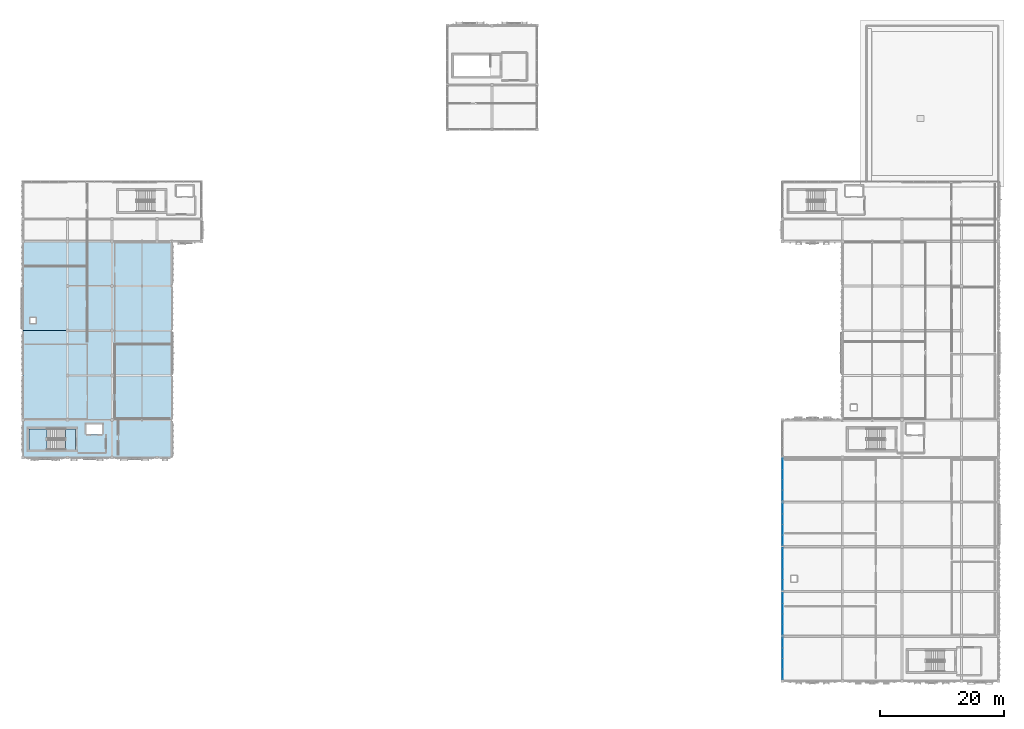
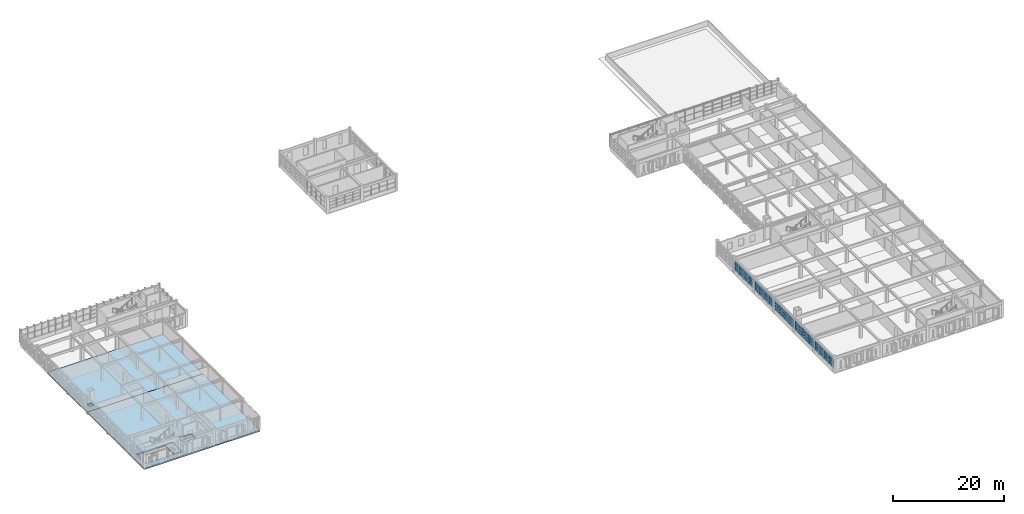
# One storey, part 18 of 53: 48 plates, 4 slabs, 6 elements without a shape of their own.
"""IFC4 building model written with IfcOpenShell, lengths in metres."""

from ifc_helpers import new_model, si_unit, direction, frame, origin, origin_2d, place, context, subcontext, project, spatial, polyline, rectangle, outline, extrude, material, layer, layer_set, type_object, element, aggregate, save


model = new_model("IFC4")

# Units and contexts
model_context = context("Model", 3, precision=1e-05, world=origin(), true_north=direction((0.0, 1.0)))
body_context = subcontext(model_context, "Body", "Model", "MODEL_VIEW")
ifc_project = project(units=[si_unit("LENGTHUNIT", "METRE"), si_unit("AREAUNIT", "SQUARE_METRE"), si_unit("VOLUMEUNIT", "CUBIC_METRE"), si_unit("PLANEANGLEUNIT", "RADIAN"), si_unit("MASSUNIT", "GRAM", prefix="KILO")], contexts=[model_context])

# Site, building, storey
site_placement = place(None, origin())
site = spatial("IfcSite", under=ifc_project, at=site_placement, CompositionType="ELEMENT")
building_placement = place(site_placement, origin())
building = spatial("IfcBuilding", under=site, at=building_placement, Name="Nzembalo Square Collegiate School", CompositionType="ELEMENT")
storey_placement = place(building_placement, frame((0.0, 0.0, 13.60009765625)))
storey = spatial("IfcBuildingStorey", under=building, at=storey_placement, Name="L03", CompositionType="ELEMENT", Elevation=13.60009765625)

# Curtain wall, plates
ifc_material_1 = material(Name="Aluminium 6060-T66", Category="aluminium")
curtain_wall_type_1 = type_object("IfcCurtainWallType", Name="CW-05", PredefinedType="USERDEFINED", material=ifc_material_1)
curtain_wall_1_placement = place(storey_placement, origin())
curtain_wall_1 = element("IfcCurtainWall", 1, at=curtain_wall_1_placement, inside=storey, type_object=curtain_wall_type_1, Name="Curtain wall CW-05 cw:L03:116", ObjectType="LANCET", PredefinedType="USERDEFINED")
ifc_material_2 = material(Name="Laminated solar-control double glazing", Category="glass")
ifc_layer_1 = layer(ifc_material_2, 0.028076171875, Name="Laminated solar-control double glazing")
ifc_layer_set_1 = layer_set([ifc_layer_1], Name="Laminated solar-control double glazing")
plate_type_1 = type_object("IfcPlateType", Name="PN01", PredefinedType="CURTAIN_PANEL", material=ifc_layer_set_1)
plate_1_placement = place(storey_placement, frame((130.800048828125, 16.681396484375, 0.85400390625), z_axis=(0.0, 0.0, 1.0), x_axis=(0.0, 1.0, 0.0)))
plate_1 = element("IfcPlate", 2, at=plate_1_placement, type_object=plate_type_1, Name="PN01 glazed panel 1-1", PredefinedType="CURTAIN_PANEL", context=body_context, shape_type="SweptSolid", body=[
    extrude(rectangle(XDim=1.6708984375, YDim=0.028076171875, at=origin_2d()), origin(), (0.0, 0.0, 1.0), 0.64501953125),
])
plate_2_placement = place(storey_placement, frame((130.800048828125, 18.360595703125, 0.85400390625), z_axis=(0.0, 0.0, 1.0), x_axis=(0.0, 1.0, 0.0)))
plate_2 = element("IfcPlate", 3, at=plate_2_placement, type_object=plate_type_1, Name="PN01 glazed panel 1-2", PredefinedType="CURTAIN_PANEL", context=body_context, shape_type="SweptSolid", body=[
    extrude(rectangle(XDim=1.6708984375, YDim=0.028076171875, at=origin_2d()), origin(), (0.0, 0.0, 1.0), 0.64501953125),
])
plate_3_placement = place(storey_placement, frame((130.800048828125, 20.03955078125, 0.85400390625), z_axis=(0.0, 0.0, 1.0), x_axis=(0.0, 1.0, 0.0)))
plate_3 = element("IfcPlate", 4, at=plate_3_placement, type_object=plate_type_1, Name="PN01 glazed panel 1-3", PredefinedType="CURTAIN_PANEL", context=body_context, shape_type="SweptSolid", body=[
    extrude(rectangle(XDim=1.6708984375, YDim=0.028076171875, at=origin_2d()), origin(), (0.0, 0.0, 1.0), 0.64501953125),
])
plate_4_placement = place(storey_placement, frame((130.800048828125, 21.718505859375, 0.85400390625), z_axis=(0.0, 0.0, 1.0), x_axis=(0.0, 1.0, 0.0)))
plate_4 = element("IfcPlate", 5, at=plate_4_placement, type_object=plate_type_1, Name="PN01 glazed panel 1-4", PredefinedType="CURTAIN_PANEL", context=body_context, shape_type="SweptSolid", body=[
    extrude(rectangle(XDim=1.6708984375, YDim=0.028076171875, at=origin_2d()), origin(), (0.0, 0.0, 1.0), 0.64501953125),
])
plate_5_placement = place(storey_placement, frame((130.800048828125, 16.681396484375, 1.5068359375), z_axis=(0.0, 0.0, 1.0), x_axis=(0.0, 1.0, 0.0)))
plate_5 = element("IfcPlate", 6, at=plate_5_placement, type_object=plate_type_1, Name="PN01 glazed panel 2-1", PredefinedType="CURTAIN_PANEL", context=body_context, shape_type="SweptSolid", body=[
    extrude(rectangle(XDim=1.6708984375, YDim=0.028076171875, at=origin_2d()), origin(), (0.0, 0.0, 1.0), 0.64501953125),
])
plate_6_placement = place(storey_placement, frame((130.800048828125, 18.360595703125, 1.5068359375), z_axis=(0.0, 0.0, 1.0), x_axis=(0.0, 1.0, 0.0)))
plate_6 = element("IfcPlate", 7, at=plate_6_placement, type_object=plate_type_1, Name="PN01 glazed panel 2-2", PredefinedType="CURTAIN_PANEL", context=body_context, shape_type="SweptSolid", body=[
    extrude(rectangle(XDim=1.6708984375, YDim=0.028076171875, at=origin_2d()), origin(), (0.0, 0.0, 1.0), 0.64501953125),
])
plate_7_placement = place(storey_placement, frame((130.800048828125, 20.03955078125, 1.5068359375), z_axis=(0.0, 0.0, 1.0), x_axis=(0.0, 1.0, 0.0)))
plate_7 = element("IfcPlate", 8, at=plate_7_placement, type_object=plate_type_1, Name="PN01 glazed panel 2-3", PredefinedType="CURTAIN_PANEL", context=body_context, shape_type="SweptSolid", body=[
    extrude(rectangle(XDim=1.6708984375, YDim=0.028076171875, at=origin_2d()), origin(), (0.0, 0.0, 1.0), 0.64501953125),
])
plate_8_placement = place(storey_placement, frame((130.800048828125, 21.718505859375, 1.5068359375), z_axis=(0.0, 0.0, 1.0), x_axis=(0.0, 1.0, 0.0)))
plate_8 = element("IfcPlate", 9, at=plate_8_placement, type_object=plate_type_1, Name="PN01 glazed panel 2-4", PredefinedType="CURTAIN_PANEL", context=body_context, shape_type="SweptSolid", body=[
    extrude(rectangle(XDim=1.6708984375, YDim=0.028076171875, at=origin_2d()), origin(), (0.0, 0.0, 1.0), 0.64501953125),
])
plate_9_placement = place(storey_placement, frame((130.800048828125, 16.681396484375, 2.159912109375), z_axis=(0.0, 0.0, 1.0), x_axis=(0.0, 1.0, 0.0)))
plate_9 = element("IfcPlate", 10, at=plate_9_placement, type_object=plate_type_1, Name="PN01 glazed panel 3-1", PredefinedType="CURTAIN_PANEL", context=body_context, shape_type="SweptSolid", body=[
    extrude(rectangle(XDim=1.6708984375, YDim=0.028076171875, at=origin_2d()), origin(), (0.0, 0.0, 1.0), 0.64501953125),
])
plate_10_placement = place(storey_placement, frame((130.800048828125, 18.360595703125, 2.159912109375), z_axis=(0.0, 0.0, 1.0), x_axis=(0.0, 1.0, 0.0)))
plate_10 = element("IfcPlate", 11, at=plate_10_placement, type_object=plate_type_1, Name="PN01 glazed panel 3-2", PredefinedType="CURTAIN_PANEL", context=body_context, shape_type="SweptSolid", body=[
    extrude(rectangle(XDim=1.6708984375, YDim=0.028076171875, at=origin_2d()), origin(), (0.0, 0.0, 1.0), 0.64501953125),
])
plate_11_placement = place(storey_placement, frame((130.800048828125, 20.03955078125, 2.159912109375), z_axis=(0.0, 0.0, 1.0), x_axis=(0.0, 1.0, 0.0)))
plate_11 = element("IfcPlate", 12, at=plate_11_placement, type_object=plate_type_1, Name="PN01 glazed panel 3-3", PredefinedType="CURTAIN_PANEL", context=body_context, shape_type="SweptSolid", body=[
    extrude(rectangle(XDim=1.6708984375, YDim=0.028076171875, at=origin_2d()), origin(), (0.0, 0.0, 1.0), 0.64501953125),
])
plate_12_placement = place(storey_placement, frame((130.800048828125, 21.718505859375, 2.159912109375), z_axis=(0.0, 0.0, 1.0), x_axis=(0.0, 1.0, 0.0)))
plate_12 = element("IfcPlate", 13, at=plate_12_placement, type_object=plate_type_1, Name="PN01 glazed panel 3-4", PredefinedType="CURTAIN_PANEL", context=body_context, shape_type="SweptSolid", body=[
    extrude(rectangle(XDim=1.6708984375, YDim=0.028076171875, at=origin_2d()), origin(), (0.0, 0.0, 1.0), 0.64501953125),
])
aggregate(curtain_wall_1, [plate_1, plate_2, plate_3, plate_4, plate_5, plate_6, plate_7, plate_8, plate_9, plate_10, plate_11, plate_12])

ifc_material_3 = material(Name="Aluminium 6060-T66", Category="aluminium")
curtain_wall_type_2 = type_object("IfcCurtainWallType", Name="CW-04", PredefinedType="USERDEFINED", material=ifc_material_3)
curtain_wall_2_placement = place(storey_placement, origin())
curtain_wall_2 = element("IfcCurtainWall", 14, at=curtain_wall_2_placement, inside=storey, type_object=curtain_wall_type_2, Name="Curtain wall CW-04 cw:L03:115", ObjectType="UNITISED", PredefinedType="USERDEFINED")
ifc_material_4 = material(Name="Acoustic laminated solar-control glazing", Category="glass")
ifc_layer_2 = layer(ifc_material_4, 0.031982421875, Name="Acoustic laminated solar-control glazing")
ifc_layer_set_2 = layer_set([ifc_layer_2], Name="Acoustic laminated solar-control glazing")
plate_type_2 = type_object("IfcPlateType", Name="PN02", PredefinedType="CURTAIN_PANEL", material=ifc_layer_set_2)
plate_13_placement = place(storey_placement, frame((130.800048828125, 9.4814453125, 0.85400390625), z_axis=(0.0, 0.0, 1.0), x_axis=(0.0, 1.0, 0.0)))
plate_13 = element("IfcPlate", 15, at=plate_13_placement, type_object=plate_type_2, Name="PN02 glazed panel 1-1", PredefinedType="CURTAIN_PANEL", context=body_context, shape_type="SweptSolid", body=[
    extrude(rectangle(XDim=1.6708984375, YDim=0.031982421875, at=origin_2d()), origin(), (0.0, 0.0, 1.0), 0.971435546875),
])
plate_14_placement = place(storey_placement, frame((130.800048828125, 11.160400390625, 0.85400390625), z_axis=(0.0, 0.0, 1.0), x_axis=(0.0, 1.0, 0.0)))
plate_14 = element("IfcPlate", 16, at=plate_14_placement, type_object=plate_type_2, Name="PN02 glazed panel 1-2", PredefinedType="CURTAIN_PANEL", context=body_context, shape_type="SweptSolid", body=[
    extrude(rectangle(XDim=1.6708984375, YDim=0.031982421875, at=origin_2d()), origin(), (0.0, 0.0, 1.0), 0.971435546875),
])
plate_15_placement = place(storey_placement, frame((130.800048828125, 12.839599609375, 0.85400390625), z_axis=(0.0, 0.0, 1.0), x_axis=(0.0, 1.0, 0.0)))
plate_15 = element("IfcPlate", 17, at=plate_15_placement, type_object=plate_type_2, Name="PN02 glazed panel 1-3", PredefinedType="CURTAIN_PANEL", context=body_context, shape_type="SweptSolid", body=[
    extrude(rectangle(XDim=1.6708984375, YDim=0.031982421875, at=origin_2d()), origin(), (0.0, 0.0, 1.0), 0.971435546875),
])
plate_16_placement = place(storey_placement, frame((130.800048828125, 14.5185546875, 0.85400390625), z_axis=(0.0, 0.0, 1.0), x_axis=(0.0, 1.0, 0.0)))
plate_16 = element("IfcPlate", 18, at=plate_16_placement, type_object=plate_type_2, Name="PN02 glazed panel 1-4", PredefinedType="CURTAIN_PANEL", context=body_context, shape_type="SweptSolid", body=[
    extrude(rectangle(XDim=1.6708984375, YDim=0.031982421875, at=origin_2d()), origin(), (0.0, 0.0, 1.0), 0.971435546875),
])
plate_17_placement = place(storey_placement, frame((130.800048828125, 9.4814453125, 1.83349609375), z_axis=(0.0, 0.0, 1.0), x_axis=(0.0, 1.0, 0.0)))
plate_17 = element("IfcPlate", 19, at=plate_17_placement, type_object=plate_type_2, Name="PN02 glazed panel 2-1", PredefinedType="CURTAIN_PANEL", context=body_context, shape_type="SweptSolid", body=[
    extrude(rectangle(XDim=1.6708984375, YDim=0.031982421875, at=origin_2d()), origin(), (0.0, 0.0, 1.0), 0.971435546875),
])
plate_18_placement = place(storey_placement, frame((130.800048828125, 11.160400390625, 1.83349609375), z_axis=(0.0, 0.0, 1.0), x_axis=(0.0, 1.0, 0.0)))
plate_18 = element("IfcPlate", 20, at=plate_18_placement, type_object=plate_type_2, Name="PN02 glazed panel 2-2", PredefinedType="CURTAIN_PANEL", context=body_context, shape_type="SweptSolid", body=[
    extrude(rectangle(XDim=1.6708984375, YDim=0.031982421875, at=origin_2d()), origin(), (0.0, 0.0, 1.0), 0.971435546875),
])
plate_19_placement = place(storey_placement, frame((130.800048828125, 12.839599609375, 1.83349609375), z_axis=(0.0, 0.0, 1.0), x_axis=(0.0, 1.0, 0.0)))
plate_19 = element("IfcPlate", 21, at=plate_19_placement, type_object=plate_type_2, Name="PN02 glazed panel 2-3", PredefinedType="CURTAIN_PANEL", context=body_context, shape_type="SweptSolid", body=[
    extrude(rectangle(XDim=1.6708984375, YDim=0.031982421875, at=origin_2d()), origin(), (0.0, 0.0, 1.0), 0.971435546875),
])
plate_20_placement = place(storey_placement, frame((130.800048828125, 14.5185546875, 1.83349609375), z_axis=(0.0, 0.0, 1.0), x_axis=(0.0, 1.0, 0.0)))
plate_20 = element("IfcPlate", 22, at=plate_20_placement, type_object=plate_type_2, Name="PN02 glazed panel 2-4", PredefinedType="CURTAIN_PANEL", context=body_context, shape_type="SweptSolid", body=[
    extrude(rectangle(XDim=1.6708984375, YDim=0.031982421875, at=origin_2d()), origin(), (0.0, 0.0, 1.0), 0.971435546875),
])
aggregate(curtain_wall_2, [plate_13, plate_14, plate_15, plate_16, plate_17, plate_18, plate_19, plate_20])

ifc_material_5 = material(Name="Aluminium 6060-T66", Category="aluminium")
curtain_wall_type_3 = type_object("IfcCurtainWallType", Name="CW-06", PredefinedType="USERDEFINED", material=ifc_material_5)
curtain_wall_3_placement = place(storey_placement, origin())
curtain_wall_3 = element("IfcCurtainWall", 23, at=curtain_wall_3_placement, inside=storey, type_object=curtain_wall_type_3, Name="Curtain wall CW-06 cw:L03:117", ObjectType="LANCET", PredefinedType="USERDEFINED")
plate_21_placement = place(storey_placement, frame((130.800048828125, 23.881591796875, 0.85400390625), z_axis=(0.0, 0.0, 1.0), x_axis=(0.0, 1.0, 0.0)))
plate_21 = element("IfcPlate", 24, at=plate_21_placement, type_object=plate_type_2, Name="PN02 glazed panel 1-1", PredefinedType="CURTAIN_PANEL", context=body_context, shape_type="SweptSolid", body=[
    extrude(rectangle(XDim=1.6708984375, YDim=0.031982421875, at=origin_2d()), origin(), (0.0, 0.0, 1.0), 0.64501953125),
])
plate_22_placement = place(storey_placement, frame((130.800048828125, 25.560546875, 0.85400390625), z_axis=(0.0, 0.0, 1.0), x_axis=(0.0, 1.0, 0.0)))
plate_22 = element("IfcPlate", 25, at=plate_22_placement, type_object=plate_type_2, Name="PN02 glazed panel 1-2", PredefinedType="CURTAIN_PANEL", context=body_context, shape_type="SweptSolid", body=[
    extrude(rectangle(XDim=1.6708984375, YDim=0.031982421875, at=origin_2d()), origin(), (0.0, 0.0, 1.0), 0.64501953125),
])
plate_23_placement = place(storey_placement, frame((130.800048828125, 27.239501953125, 0.85400390625), z_axis=(0.0, 0.0, 1.0), x_axis=(0.0, 1.0, 0.0)))
plate_23 = element("IfcPlate", 26, at=plate_23_placement, type_object=plate_type_2, Name="PN02 glazed panel 1-3", PredefinedType="CURTAIN_PANEL", context=body_context, shape_type="SweptSolid", body=[
    extrude(rectangle(XDim=1.6708984375, YDim=0.031982421875, at=origin_2d()), origin(), (0.0, 0.0, 1.0), 0.64501953125),
])
plate_24_placement = place(storey_placement, frame((130.800048828125, 28.91845703125, 0.85400390625), z_axis=(0.0, 0.0, 1.0), x_axis=(0.0, 1.0, 0.0)))
plate_24 = element("IfcPlate", 27, at=plate_24_placement, type_object=plate_type_2, Name="PN02 glazed panel 1-4", PredefinedType="CURTAIN_PANEL", context=body_context, shape_type="SweptSolid", body=[
    extrude(rectangle(XDim=1.6708984375, YDim=0.031982421875, at=origin_2d()), origin(), (0.0, 0.0, 1.0), 0.64501953125),
])
plate_25_placement = place(storey_placement, frame((130.800048828125, 23.881591796875, 1.5068359375), z_axis=(0.0, 0.0, 1.0), x_axis=(0.0, 1.0, 0.0)))
plate_25 = element("IfcPlate", 28, at=plate_25_placement, type_object=plate_type_2, Name="PN02 glazed panel 2-1", PredefinedType="CURTAIN_PANEL", context=body_context, shape_type="SweptSolid", body=[
    extrude(rectangle(XDim=1.6708984375, YDim=0.031982421875, at=origin_2d()), origin(), (0.0, 0.0, 1.0), 0.64501953125),
])
plate_26_placement = place(storey_placement, frame((130.800048828125, 25.560546875, 1.5068359375), z_axis=(0.0, 0.0, 1.0), x_axis=(0.0, 1.0, 0.0)))
plate_26 = element("IfcPlate", 29, at=plate_26_placement, type_object=plate_type_2, Name="PN02 glazed panel 2-2", PredefinedType="CURTAIN_PANEL", context=body_context, shape_type="SweptSolid", body=[
    extrude(rectangle(XDim=1.6708984375, YDim=0.031982421875, at=origin_2d()), origin(), (0.0, 0.0, 1.0), 0.64501953125),
])
plate_27_placement = place(storey_placement, frame((130.800048828125, 27.239501953125, 1.5068359375), z_axis=(0.0, 0.0, 1.0), x_axis=(0.0, 1.0, 0.0)))
plate_27 = element("IfcPlate", 30, at=plate_27_placement, type_object=plate_type_2, Name="PN02 glazed panel 2-3", PredefinedType="CURTAIN_PANEL", context=body_context, shape_type="SweptSolid", body=[
    extrude(rectangle(XDim=1.6708984375, YDim=0.031982421875, at=origin_2d()), origin(), (0.0, 0.0, 1.0), 0.64501953125),
])
plate_28_placement = place(storey_placement, frame((130.800048828125, 28.91845703125, 1.5068359375), z_axis=(0.0, 0.0, 1.0), x_axis=(0.0, 1.0, 0.0)))
plate_28 = element("IfcPlate", 31, at=plate_28_placement, type_object=plate_type_2, Name="PN02 glazed panel 2-4", PredefinedType="CURTAIN_PANEL", context=body_context, shape_type="SweptSolid", body=[
    extrude(rectangle(XDim=1.6708984375, YDim=0.031982421875, at=origin_2d()), origin(), (0.0, 0.0, 1.0), 0.64501953125),
])
plate_29_placement = place(storey_placement, frame((130.800048828125, 23.881591796875, 2.159912109375), z_axis=(0.0, 0.0, 1.0), x_axis=(0.0, 1.0, 0.0)))
plate_29 = element("IfcPlate", 32, at=plate_29_placement, type_object=plate_type_2, Name="PN02 glazed panel 3-1", PredefinedType="CURTAIN_PANEL", context=body_context, shape_type="SweptSolid", body=[
    extrude(rectangle(XDim=1.6708984375, YDim=0.031982421875, at=origin_2d()), origin(), (0.0, 0.0, 1.0), 0.64501953125),
])
plate_30_placement = place(storey_placement, frame((130.800048828125, 25.560546875, 2.159912109375), z_axis=(0.0, 0.0, 1.0), x_axis=(0.0, 1.0, 0.0)))
plate_30 = element("IfcPlate", 33, at=plate_30_placement, type_object=plate_type_2, Name="PN02 glazed panel 3-2", PredefinedType="CURTAIN_PANEL", context=body_context, shape_type="SweptSolid", body=[
    extrude(rectangle(XDim=1.6708984375, YDim=0.031982421875, at=origin_2d()), origin(), (0.0, 0.0, 1.0), 0.64501953125),
])
plate_31_placement = place(storey_placement, frame((130.800048828125, 27.239501953125, 2.159912109375), z_axis=(0.0, 0.0, 1.0), x_axis=(0.0, 1.0, 0.0)))
plate_31 = element("IfcPlate", 34, at=plate_31_placement, type_object=plate_type_2, Name="PN02 glazed panel 3-3", PredefinedType="CURTAIN_PANEL", context=body_context, shape_type="SweptSolid", body=[
    extrude(rectangle(XDim=1.6708984375, YDim=0.031982421875, at=origin_2d()), origin(), (0.0, 0.0, 1.0), 0.64501953125),
])
plate_32_placement = place(storey_placement, frame((130.800048828125, 28.91845703125, 2.159912109375), z_axis=(0.0, 0.0, 1.0), x_axis=(0.0, 1.0, 0.0)))
plate_32 = element("IfcPlate", 35, at=plate_32_placement, type_object=plate_type_2, Name="PN02 glazed panel 3-4", PredefinedType="CURTAIN_PANEL", context=body_context, shape_type="SweptSolid", body=[
    extrude(rectangle(XDim=1.6708984375, YDim=0.031982421875, at=origin_2d()), origin(), (0.0, 0.0, 1.0), 0.64501953125),
])
aggregate(curtain_wall_3, [plate_21, plate_22, plate_23, plate_24, plate_25, plate_26, plate_27, plate_28, plate_29, plate_30, plate_31, plate_32])

ifc_material_6 = material(Name="Aluminium 6060-T66", Category="aluminium")
curtain_wall_type_4 = type_object("IfcCurtainWallType", Name="CW-07", PredefinedType="USERDEFINED", material=ifc_material_6)
curtain_wall_4_placement = place(storey_placement, origin())
curtain_wall_4 = element("IfcCurtainWall", 36, at=curtain_wall_4_placement, inside=storey, type_object=curtain_wall_type_4, Name="Curtain wall CW-07 cw:L03:118", ObjectType="LANCET", PredefinedType="USERDEFINED")
plate_33_placement = place(storey_placement, frame((130.800048828125, 31.08154296875, 0.85400390625), z_axis=(0.0, 0.0, 1.0), x_axis=(0.0, 1.0, 0.0)))
plate_33 = element("IfcPlate", 37, at=plate_33_placement, type_object=plate_type_2, Name="PN02 glazed panel 1-1", PredefinedType="CURTAIN_PANEL", context=body_context, shape_type="SweptSolid", body=[
    extrude(rectangle(XDim=1.6708984375, YDim=0.031982421875, at=origin_2d()), origin(), (0.0, 0.0, 1.0), 0.971435546875),
])
plate_34_placement = place(storey_placement, frame((130.800048828125, 32.760498046875, 0.85400390625), z_axis=(0.0, 0.0, 1.0), x_axis=(0.0, 1.0, 0.0)))
plate_34 = element("IfcPlate", 38, at=plate_34_placement, type_object=plate_type_2, Name="PN02 glazed panel 1-2", PredefinedType="CURTAIN_PANEL", context=body_context, shape_type="SweptSolid", body=[
    extrude(rectangle(XDim=1.6708984375, YDim=0.031982421875, at=origin_2d()), origin(), (0.0, 0.0, 1.0), 0.971435546875),
])
plate_35_placement = place(storey_placement, frame((130.800048828125, 34.439453125, 0.85400390625), z_axis=(0.0, 0.0, 1.0), x_axis=(0.0, 1.0, 0.0)))
plate_35 = element("IfcPlate", 39, at=plate_35_placement, type_object=plate_type_2, Name="PN02 glazed panel 1-3", PredefinedType="CURTAIN_PANEL", context=body_context, shape_type="SweptSolid", body=[
    extrude(rectangle(XDim=1.6708984375, YDim=0.031982421875, at=origin_2d()), origin(), (0.0, 0.0, 1.0), 0.971435546875),
])
plate_36_placement = place(storey_placement, frame((130.800048828125, 36.118408203125, 0.85400390625), z_axis=(0.0, 0.0, 1.0), x_axis=(0.0, 1.0, 0.0)))
plate_36 = element("IfcPlate", 40, at=plate_36_placement, type_object=plate_type_2, Name="PN02 glazed panel 1-4", PredefinedType="CURTAIN_PANEL", context=body_context, shape_type="SweptSolid", body=[
    extrude(rectangle(XDim=1.6708984375, YDim=0.031982421875, at=origin_2d()), origin(), (0.0, 0.0, 1.0), 0.971435546875),
])
plate_37_placement = place(storey_placement, frame((130.800048828125, 31.08154296875, 1.83349609375), z_axis=(0.0, 0.0, 1.0), x_axis=(0.0, 1.0, 0.0)))
plate_37 = element("IfcPlate", 41, at=plate_37_placement, type_object=plate_type_2, Name="PN02 glazed panel 2-1", PredefinedType="CURTAIN_PANEL", context=body_context, shape_type="SweptSolid", body=[
    extrude(rectangle(XDim=1.6708984375, YDim=0.031982421875, at=origin_2d()), origin(), (0.0, 0.0, 1.0), 0.971435546875),
])
plate_38_placement = place(storey_placement, frame((130.800048828125, 32.760498046875, 1.83349609375), z_axis=(0.0, 0.0, 1.0), x_axis=(0.0, 1.0, 0.0)))
plate_38 = element("IfcPlate", 42, at=plate_38_placement, type_object=plate_type_2, Name="PN02 glazed panel 2-2", PredefinedType="CURTAIN_PANEL", context=body_context, shape_type="SweptSolid", body=[
    extrude(rectangle(XDim=1.6708984375, YDim=0.031982421875, at=origin_2d()), origin(), (0.0, 0.0, 1.0), 0.971435546875),
])
plate_39_placement = place(storey_placement, frame((130.800048828125, 34.439453125, 1.83349609375), z_axis=(0.0, 0.0, 1.0), x_axis=(0.0, 1.0, 0.0)))
plate_39 = element("IfcPlate", 43, at=plate_39_placement, type_object=plate_type_2, Name="PN02 glazed panel 2-3", PredefinedType="CURTAIN_PANEL", context=body_context, shape_type="SweptSolid", body=[
    extrude(rectangle(XDim=1.6708984375, YDim=0.031982421875, at=origin_2d()), origin(), (0.0, 0.0, 1.0), 0.971435546875),
])
plate_40_placement = place(storey_placement, frame((130.800048828125, 36.118408203125, 1.83349609375), z_axis=(0.0, 0.0, 1.0), x_axis=(0.0, 1.0, 0.0)))
plate_40 = element("IfcPlate", 44, at=plate_40_placement, type_object=plate_type_2, Name="PN02 glazed panel 2-4", PredefinedType="CURTAIN_PANEL", context=body_context, shape_type="SweptSolid", body=[
    extrude(rectangle(XDim=1.6708984375, YDim=0.031982421875, at=origin_2d()), origin(), (0.0, 0.0, 1.0), 0.971435546875),
])
aggregate(curtain_wall_4, [plate_33, plate_34, plate_35, plate_36, plate_37, plate_38, plate_39, plate_40])

ifc_material_7 = material(Name="Aluminium 6060-T66", Category="aluminium")
curtain_wall_type_5 = type_object("IfcCurtainWallType", Name="CW-08", PredefinedType="USERDEFINED", material=ifc_material_7)
curtain_wall_5_placement = place(storey_placement, origin())
curtain_wall_5 = element("IfcCurtainWall", 45, at=curtain_wall_5_placement, inside=storey, type_object=curtain_wall_type_5, Name="Curtain wall CW-08 cw:L03:119", ObjectType="LANCET", PredefinedType="USERDEFINED")
plate_41_placement = place(storey_placement, frame((130.800048828125, 38.281494140625, 0.85400390625), z_axis=(0.0, 0.0, 1.0), x_axis=(0.0, 1.0, 0.0)))
plate_41 = element("IfcPlate", 46, at=plate_41_placement, type_object=plate_type_2, Name="PN02 glazed panel 1-1", PredefinedType="CURTAIN_PANEL", context=body_context, shape_type="SweptSolid", body=[
    extrude(rectangle(XDim=1.6708984375, YDim=0.031982421875, at=origin_2d()), origin(), (0.0, 0.0, 1.0), 0.971435546875),
])
plate_42_placement = place(storey_placement, frame((130.800048828125, 39.96044921875, 0.85400390625), z_axis=(0.0, 0.0, 1.0), x_axis=(0.0, 1.0, 0.0)))
plate_42 = element("IfcPlate", 47, at=plate_42_placement, type_object=plate_type_2, Name="PN02 glazed panel 1-2", PredefinedType="CURTAIN_PANEL", context=body_context, shape_type="SweptSolid", body=[
    extrude(rectangle(XDim=1.6708984375, YDim=0.031982421875, at=origin_2d()), origin(), (0.0, 0.0, 1.0), 0.971435546875),
])
plate_43_placement = place(storey_placement, frame((130.800048828125, 41.639404296875, 0.85400390625), z_axis=(0.0, 0.0, 1.0), x_axis=(0.0, 1.0, 0.0)))
plate_43 = element("IfcPlate", 48, at=plate_43_placement, type_object=plate_type_2, Name="PN02 glazed panel 1-3", PredefinedType="CURTAIN_PANEL", context=body_context, shape_type="SweptSolid", body=[
    extrude(rectangle(XDim=1.6708984375, YDim=0.031982421875, at=origin_2d()), origin(), (0.0, 0.0, 1.0), 0.971435546875),
])
plate_44_placement = place(storey_placement, frame((130.800048828125, 43.318603515625, 0.85400390625), z_axis=(0.0, 0.0, 1.0), x_axis=(0.0, 1.0, 0.0)))
plate_44 = element("IfcPlate", 49, at=plate_44_placement, type_object=plate_type_2, Name="PN02 glazed panel 1-4", PredefinedType="CURTAIN_PANEL", context=body_context, shape_type="SweptSolid", body=[
    extrude(rectangle(XDim=1.6708984375, YDim=0.031982421875, at=origin_2d()), origin(), (0.0, 0.0, 1.0), 0.971435546875),
])
plate_45_placement = place(storey_placement, frame((130.800048828125, 38.281494140625, 1.83349609375), z_axis=(0.0, 0.0, 1.0), x_axis=(0.0, 1.0, 0.0)))
plate_45 = element("IfcPlate", 50, at=plate_45_placement, type_object=plate_type_2, Name="PN02 glazed panel 2-1", PredefinedType="CURTAIN_PANEL", context=body_context, shape_type="SweptSolid", body=[
    extrude(rectangle(XDim=1.6708984375, YDim=0.031982421875, at=origin_2d()), origin(), (0.0, 0.0, 1.0), 0.971435546875),
])
plate_46_placement = place(storey_placement, frame((130.800048828125, 39.96044921875, 1.83349609375), z_axis=(0.0, 0.0, 1.0), x_axis=(0.0, 1.0, 0.0)))
plate_46 = element("IfcPlate", 51, at=plate_46_placement, type_object=plate_type_2, Name="PN02 glazed panel 2-2", PredefinedType="CURTAIN_PANEL", context=body_context, shape_type="SweptSolid", body=[
    extrude(rectangle(XDim=1.6708984375, YDim=0.031982421875, at=origin_2d()), origin(), (0.0, 0.0, 1.0), 0.971435546875),
])
plate_47_placement = place(storey_placement, frame((130.800048828125, 41.639404296875, 1.83349609375), z_axis=(0.0, 0.0, 1.0), x_axis=(0.0, 1.0, 0.0)))
plate_47 = element("IfcPlate", 52, at=plate_47_placement, type_object=plate_type_2, Name="PN02 glazed panel 2-3", PredefinedType="CURTAIN_PANEL", context=body_context, shape_type="SweptSolid", body=[
    extrude(rectangle(XDim=1.6708984375, YDim=0.031982421875, at=origin_2d()), origin(), (0.0, 0.0, 1.0), 0.971435546875),
])
plate_48_placement = place(storey_placement, frame((130.800048828125, 43.318603515625, 1.83349609375), z_axis=(0.0, 0.0, 1.0), x_axis=(0.0, 1.0, 0.0)))
plate_48 = element("IfcPlate", 53, at=plate_48_placement, type_object=plate_type_2, Name="PN02 glazed panel 2-4", PredefinedType="CURTAIN_PANEL", context=body_context, shape_type="SweptSolid", body=[
    extrude(rectangle(XDim=1.6708984375, YDim=0.031982421875, at=origin_2d()), origin(), (0.0, 0.0, 1.0), 0.971435546875),
])
aggregate(curtain_wall_5, [plate_41, plate_42, plate_43, plate_44, plate_45, plate_46, plate_47, plate_48])

# Stair, slab
ifc_material_8 = material(Name="Precast concrete C40/50", Category="concrete")
stair_type = type_object("IfcStairType", Name="ST-22R", PredefinedType="HALF_TURN_STAIR", material=ifc_material_8)
stair_placement = place(storey_placement, origin())
stair = element("IfcStair", 54, at=stair_placement, inside=storey, type_object=stair_type, Name="Escape stair ST-05 (C1 L03)", PredefinedType="HALF_TURN_STAIR")
ifc_material_9 = material(Name="Precast concrete C40/50", Category="concrete")
ifc_layer_3 = layer(ifc_material_9, 0.199951171875, Name="Precast concrete C40/50")
ifc_layer_set_3 = layer_set([ifc_layer_3], Name="Precast concrete C40/50")
slab_type_1 = type_object("IfcSlabType", Name="SL-LDG", PredefinedType="LANDING", material=ifc_layer_set_3)
slab_1_placement = place(storey_placement, frame((0.0, 0.0, 1.669921875)))
slab_1 = element("IfcSlab", 55, at=slab_1_placement, type_object=slab_type_1, Name="ST-05 landing 1", PredefinedType="LANDING", context=body_context, shape_type="SweptSolid", body=[
    extrude(outline(polyline([(12.300048828125, 49.0), (9.39990234375, 49.0), (9.39990234375, 45.60009765625), (12.300048828125, 45.60009765625), (12.300048828125, 49.0)])), origin(), (0.0, 0.0, 1.0), 0.199951171875),
])
aggregate(stair, [slab_1])

# Slabs
ifc_material_10 = material(Name="CLT CL24", Category="wood")
ifc_layer_4 = layer(ifc_material_10, 0.281982421875, Name="CLT CL24")
ifc_layer_set_4 = layer_set([ifc_layer_4], Name="CLT CL24")
slab_type_2 = type_object("IfcSlabType", Name="SL-03", PredefinedType="FLOOR", material=ifc_layer_set_4)
slab_2_placement = place(storey_placement, frame((0.0, 0.0, -0.281982421875)))
element("IfcSlab", 56, at=slab_2_placement, inside=storey, type_object=slab_type_2, Name="Slab SL-L03-65", PredefinedType="FLOOR", context=body_context, shape_type="SweptSolid", body=[
    extrude(outline(polyline([(8.39990234375, 44.39990234375), (32.39990234375, 44.39990234375), (32.39990234375, 64.800048828125), (8.39990234375, 64.800048828125), (8.39990234375, 44.39990234375)]), holes=[polyline([(18.60009765625, 48.10009765625), (21.199951171875, 48.10009765625), (21.199951171875, 49.699951171875), (18.60009765625, 49.699951171875), (18.60009765625, 48.10009765625)]), polyline([(16.89990234375, 49.0), (9.39990234375, 49.0), (9.39990234375, 45.60009765625), (16.89990234375, 45.60009765625), (16.89990234375, 49.0)])]), origin(), (0.0, 0.0, 1.0), 0.281982421875),
])
slab_3_placement = place(storey_placement, frame((0.0, 0.0, -0.281982421875)))
element("IfcSlab", 57, at=slab_3_placement, inside=storey, type_object=slab_type_2, Name="Slab SL-L03-66", PredefinedType="FLOOR", context=body_context, shape_type="SweptSolid", body=[
    extrude(outline(polyline([(8.39990234375, 64.800048828125), (32.39990234375, 64.800048828125), (32.39990234375, 79.199951171875), (8.39990234375, 79.199951171875), (8.39990234375, 64.800048828125)]), holes=[polyline([(9.60009765625, 66.0), (10.5, 66.0), (10.5, 66.89990234375), (9.60009765625, 66.89990234375), (9.60009765625, 66.0)])]), origin(), (0.0, 0.0, 1.0), 0.281982421875),
])
slab_4_placement = place(storey_placement, frame((0.0, 0.0, -0.281982421875)))
element("IfcSlab", 58, at=slab_4_placement, inside=storey, type_object=slab_type_2, Name="Core C1 floor landing slab SL-L03-C1", PredefinedType="FLOOR", context=body_context, shape_type="SweptSolid", body=[
    extrude(outline(polyline([(15.300048828125, 45.60009765625), (16.89990234375, 45.60009765625), (16.89990234375, 49.0), (15.300048828125, 49.0), (15.300048828125, 45.60009765625)])), origin(), (0.0, 0.0, 1.0), 0.281982421875),
])

save(model, "model.ifc")
